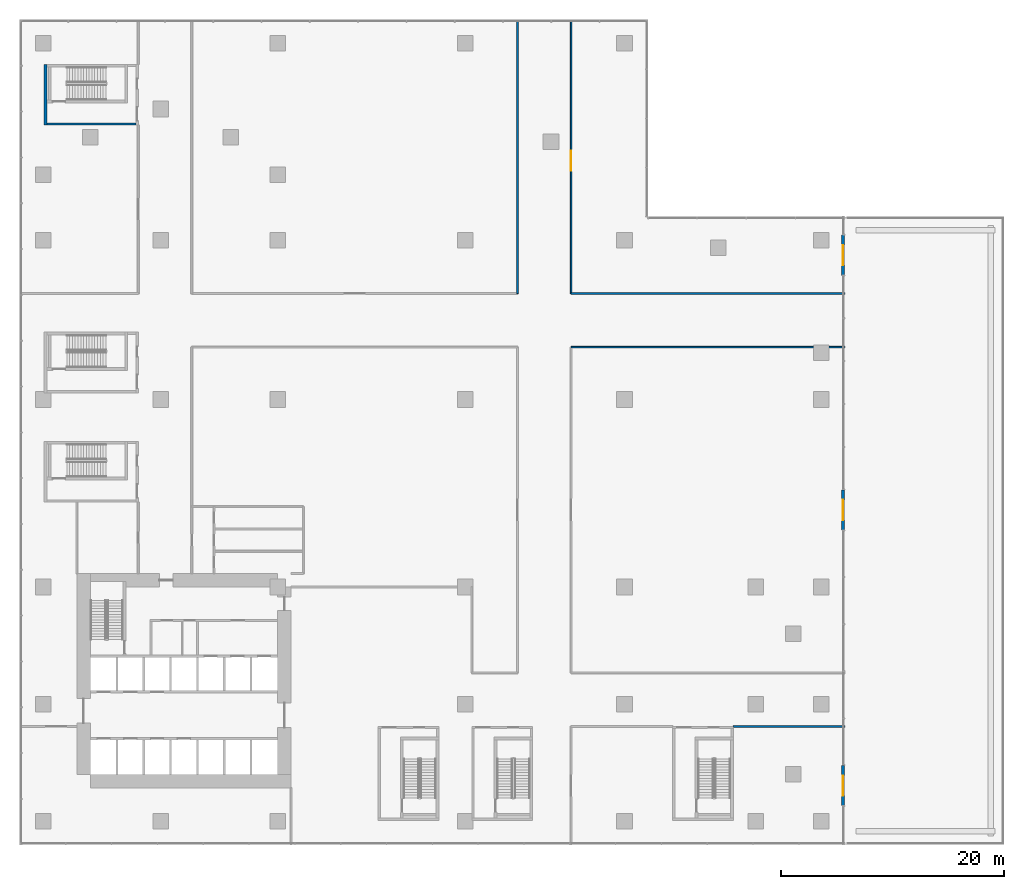
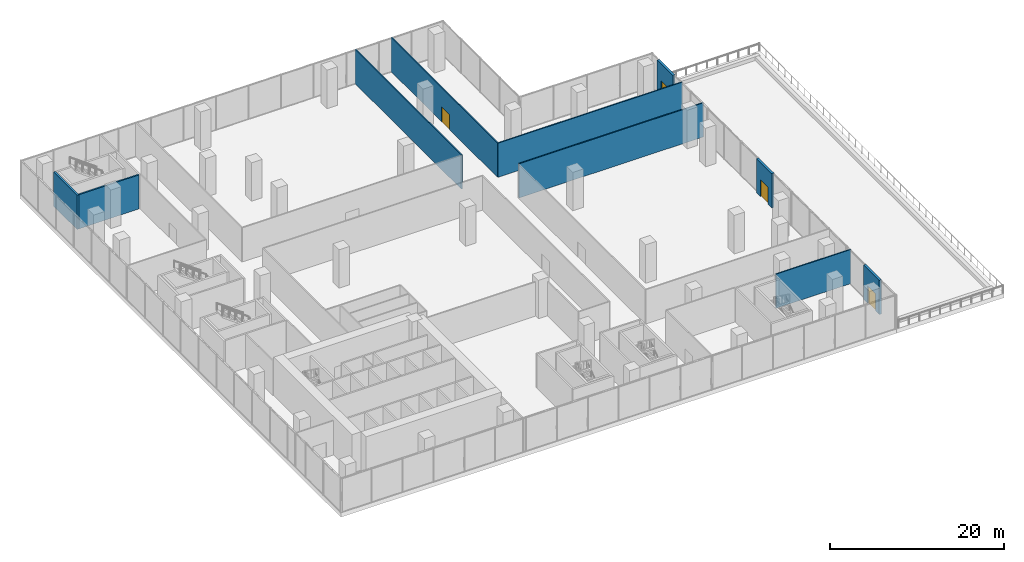
# One storey, part 16 of 23: 10 walls, 4 doors, 4 openings.
"""IFC4 building model written with IfcOpenShell, lengths in metres."""

import ifcopenshell
import ifcopenshell.guid

model = None  # the IFC model being written
_history = None  # IfcOwnerHistory: only IFC2X3 demands one
_inside = {}  # id of a spatial element -> (the spatial element, [elements in it])
_under = {}  # id of a project, library or spatial element -> (it, [spatial elements below it])
_declared = {}  # id of a project -> (the project, [libraries it declares])
_typed = {}  # id of a type object -> (the type object, [elements of that type])
_made_of = {}  # id of a material, layer set ... -> (it, [elements and type objects made of it])


def new_model(schema):
    """Start an empty IFC model of exactly this schema.

    Asked for "IFC4X3", IfcOpenShell would pick the latest addendum, in which some entities
    have other attributes; the version numbers below select the first issue.
    IFC2X3 requires an IfcOwnerHistory on every rooted entity: one is made here for all.
    """
    global model, _history
    if schema == "IFC4X3":
        model = ifcopenshell.file(schema_version=(4, 3, 0, 0))
    else:
        model = ifcopenshell.file(schema=schema)
    _inside.clear()
    _under.clear()
    _declared.clear()
    _typed.clear()
    _made_of.clear()
    _history = None
    if model.schema == "IFC2X3":
        org = make("IfcOrganization", Name="unknown")
        user = make(
            "IfcPersonAndOrganization",
            ThePerson=make("IfcPerson", FamilyName="unknown"),
            TheOrganization=org,
        )
        app = make(
            "IfcApplication",
            ApplicationDeveloper=org,
            Version="unknown",
            ApplicationFullName="unknown",
            ApplicationIdentifier="unknown",
        )
        _history = make(
            "IfcOwnerHistory",
            OwningUser=user,
            OwningApplication=app,
            ChangeAction="ADDED",
            CreationDate=0,
        )
    return model


def make(cls, **values):
    """One entity of the class cls with the attributes given. An attribute that is None is left unset."""
    return model.create_entity(
        cls, **{name: value for name, value in values.items() if value is not None}
    )


def rooted(cls, **values):
    """An entity with a GlobalId (a new one), such as an element, a storey or a relation."""
    return make(cls, GlobalId=ifcopenshell.guid.new(), OwnerHistory=_history, **values)


def si_unit(unit_type, name, prefix=None):
    """IfcSIUnit, for example si_unit("LENGTHUNIT", "METRE", prefix="MILLI")."""
    return make("IfcSIUnit", UnitType=unit_type, Prefix=prefix, Name=name)


def assignment(units):
    """IfcUnitAssignment: the units of a project."""
    return None if units is None else make("IfcUnitAssignment", Units=units)


def point(xyz):
    """IfcCartesianPoint."""
    return None if xyz is None else make("IfcCartesianPoint", Coordinates=xyz)


def direction(xyz):
    """IfcDirection."""
    return None if xyz is None else make("IfcDirection", DirectionRatios=xyz)


def frame(location, z_axis=None, x_axis=None):
    """IfcAxis2Placement3D, a coordinate frame: its origin and axes. An axis left out is left unset."""
    return make(
        "IfcAxis2Placement3D",
        Location=point(location),
        Axis=direction(z_axis),
        RefDirection=direction(x_axis),
    )


def frame_2d(location, x_axis=None):
    """IfcAxis2Placement2D, a coordinate frame in the plane: its origin and x axis."""
    return make(
        "IfcAxis2Placement2D", Location=point(location), RefDirection=direction(x_axis)
    )


def origin():
    """The frame at (0, 0, 0) with its axes left unset."""
    return frame((0.0, 0.0, 0.0))


def place(relative_to, where):
    """IfcLocalPlacement: puts the frame where relative to a parent placement (None: the world)."""
    return make(
        "IfcLocalPlacement", PlacementRelTo=relative_to, RelativePlacement=where
    )


def context(
    kind, dimensions, precision=None, world=None, true_north=None, identifier=None
):
    """IfcGeometricRepresentationContext, for example the 3D "Model" context."""
    return make(
        "IfcGeometricRepresentationContext",
        ContextIdentifier=identifier,
        ContextType=kind,
        CoordinateSpaceDimension=dimensions,
        Precision=precision,
        WorldCoordinateSystem=world,
        TrueNorth=true_north,
    )


def subcontext(parent, identifier, kind, view, scale=None):
    """IfcGeometricRepresentationSubContext, for example "Body" below "Model"."""
    return make(
        "IfcGeometricRepresentationSubContext",
        ContextIdentifier=identifier,
        ContextType=kind,
        ParentContext=parent,
        TargetScale=scale,
        TargetView=view,
    )


def project(units=None, contexts=None):
    """IfcProject with its units and contexts."""
    return rooted(
        "IfcProject",
        Name="project",
        RepresentationContexts=contexts,
        UnitsInContext=assignment(units),
    )


def spatial(cls, under=None, at=None, **own):
    """A site, building, storey or space (cls), placed at a placement, below another one or the project."""
    s = rooted(cls, ObjectPlacement=at, **own)
    if under is not None:
        _under.setdefault(under.id(), (under, []))[1].append(s)
    return s


def profile(cls, at=None, kind="AREA", **sizes):
    """A parametric profile (cls). Its sizes go by their IFC names, for example OverallWidth=200.0."""
    return make(cls, ProfileType=kind, Position=at, **sizes)


def rectangle(**sizes):
    """IfcRectangleProfileDef."""
    return profile("IfcRectangleProfileDef", **sizes)


def extrude(swept, where, along, depth):
    """IfcExtrudedAreaSolid: the profile swept, set in the frame where, extruded along a direction by depth."""
    return make(
        "IfcExtrudedAreaSolid",
        SweptArea=swept,
        Position=where,
        ExtrudedDirection=direction(along),
        Depth=depth,
    )


def shape(context_of_items, identifier, shape_type, items):
    """IfcShapeRepresentation: the items that make up one representation, for example the "Body"."""
    return make(
        "IfcShapeRepresentation",
        ContextOfItems=context_of_items,
        RepresentationIdentifier=identifier,
        RepresentationType=shape_type,
        Items=items,
    )


def source(mapping_origin, context_of_items, identifier, shape_type, items):
    """IfcRepresentationMap: a shape defined once, which mapped items show again and again."""
    return make(
        "IfcRepresentationMap",
        MappingOrigin=mapping_origin,
        MappedRepresentation=shape(context_of_items, identifier, shape_type, items),
    )


def transform(
    local_origin,
    x_axis=None,
    y_axis=None,
    z_axis=None,
    scale=None,
    scale2=None,
    scale3=None,
    uniform=True,
):
    """IfcCartesianTransformationOperator3D, or its non-uniform kind. x_axis, y_axis, z_axis: its Axis1, 2, 3."""
    if uniform:
        return make(
            "IfcCartesianTransformationOperator3D",
            Axis1=direction(x_axis),
            Axis2=direction(y_axis),
            LocalOrigin=point(local_origin),
            Scale=scale,
            Axis3=direction(z_axis),
        )
    return make(
        "IfcCartesianTransformationOperator3DnonUniform",
        Axis1=direction(x_axis),
        Axis2=direction(y_axis),
        LocalOrigin=point(local_origin),
        Scale=scale,
        Axis3=direction(z_axis),
        Scale2=scale2,
        Scale3=scale3,
    )


def mapped(mapping_source, mapping_target):
    """IfcMappedItem: shows the shape of a source again, moved by a transform."""
    return make(
        "IfcMappedItem", MappingSource=mapping_source, MappingTarget=mapping_target
    )


def material(Name=None, Category=None):
    """IfcMaterial."""
    return make("IfcMaterial", Name=Name, Category=Category)


def layer(
    of_material, thickness, ventilated=None, Name=None, Category=None, Priority=None
):
    """IfcMaterialLayer: one layer of a wall or slab, of a material (None: an air gap)."""
    return make(
        "IfcMaterialLayer",
        Material=of_material,
        LayerThickness=thickness,
        IsVentilated=ventilated,
        Name=Name,
        Category=Category,
        Priority=Priority,
    )


def layer_set(layers, Name=None):
    """IfcMaterialLayerSet."""
    return make("IfcMaterialLayerSet", MaterialLayers=layers, LayerSetName=Name)


def made_of(thing, what):
    """Note that an element or type object is made of a material, layer set ...; save() writes the relation."""
    if what is not None:
        _made_of.setdefault(what.id(), (what, []))[1].append(thing)
    return thing


def type_object(cls, material=None, **own):
    """A type object (cls), such as IfcWallType, which elements share."""
    return made_of(rooted(cls, **own), material)


def element(
    cls,
    number,
    at=None,
    inside=None,
    cuts=None,
    type_object=None,
    material=None,
    context=None,
    identifier="Body",
    shape_type=None,
    held_by="IfcProductDefinitionShape",
    body=None,
    shapes=None,
    **own,
):
    """One element of the class cls, such as IfcWall. Its Tag is "e" and its number.

    at: its placement. inside: the storey or other place that contains it. cuts: it is an
    opening in that element (IfcRelVoidsElement). A single representation is given by context,
    identifier, shape_type and body (its items); several are given by shapes. held_by: the class
    of the entity that holds the representations. save() writes the other relations.
    """
    e = rooted(cls, Tag="e%d" % number, ObjectPlacement=at, **own)
    if body is not None:
        shapes = [shape(context, identifier, shape_type, body)]
    if shapes is not None:
        e.Representation = make(held_by, Representations=shapes)
    if inside is not None:
        _inside.setdefault(inside.id(), (inside, []))[1].append(e)
    if cuts is not None:
        rooted(
            "IfcRelVoidsElement", RelatingBuildingElement=cuts, RelatedOpeningElement=e
        )
    if type_object is not None:
        _typed.setdefault(type_object.id(), (type_object, []))[1].append(e)
    return made_of(e, material)


def fill(opening, filler):
    """IfcRelFillsElement: the door or window that sits in an opening."""
    return rooted(
        "IfcRelFillsElement",
        RelatingOpeningElement=opening,
        RelatedBuildingElement=filler,
    )


def aggregate(whole, parts):
    """IfcRelAggregates: a whole, such as a stair, and the parts it consists of."""
    return rooted("IfcRelAggregates", RelatingObject=whole, RelatedObjects=parts)


def save(model, path):
    """Write the relations noted so far, then the file.

    IfcRelAggregates (storeys below a building ...), IfcRelContainedInSpatialStructure (elements
    in a storey), IfcRelDefinesByType, IfcRelAssociatesMaterial and IfcRelDeclares: one each for
    every whole, place, type object, material and project.
    """
    for whole, parts in _under.values():
        aggregate(whole, parts)
    for where, things in _inside.values():
        rooted(
            "IfcRelContainedInSpatialStructure",
            RelatedElements=things,
            RelatingStructure=where,
        )
    for kind, things in _typed.values():
        rooted("IfcRelDefinesByType", RelatedObjects=things, RelatingType=kind)
    for what, things in _made_of.values():
        rooted("IfcRelAssociatesMaterial", RelatedObjects=things, RelatingMaterial=what)
    for by, libraries in _declared.values():
        rooted("IfcRelDeclares", RelatingContext=by, RelatedDefinitions=libraries)
    model.write(path)


model = new_model("IFC4")

# Units and contexts
model_context = context("Model", 3, precision=1e-05, world=origin(), true_north=direction((0.0, 1.0)))
body_context = subcontext(model_context, "Body", "Model", "MODEL_VIEW")
ifc_project = project(units=[si_unit("LENGTHUNIT", "METRE"), si_unit("AREAUNIT", "SQUARE_METRE"), si_unit("VOLUMEUNIT", "CUBIC_METRE"), si_unit("PLANEANGLEUNIT", "RADIAN"), si_unit("MASSUNIT", "GRAM", prefix="KILO")], contexts=[model_context])

# Site, building, storey
site_placement = place(None, origin())
site = spatial("IfcSite", under=ifc_project, at=site_placement, CompositionType="ELEMENT")
building_placement = place(site_placement, origin())
building = spatial("IfcBuilding", under=site, at=building_placement, Name="Aurelian Terraces", CompositionType="ELEMENT")
storey_placement = place(building_placement, frame((0.0, 0.0, 18.3)))
storey = spatial("IfcBuildingStorey", under=building, at=storey_placement, Name="L03", CompositionType="ELEMENT", Elevation=18.3)

# Wall
ifc_material_1 = material(Name="Gypsum board on steel studs", Category="steel")
ifc_layer_1 = layer(ifc_material_1, 0.15)
ifc_layer_set_1 = layer_set([ifc_layer_1], Name="Special partition 150")
wall_type_1 = type_object("IfcWallType", Name="Special partition 150", PredefinedType="PARTITIONING", material=ifc_layer_set_1)
wall_1_placement = place(storey_placement, frame((61.85, 8.5, 0.0), z_axis=(0.0, 0.0, 1.0), x_axis=(1.0, 0.0, 0.0)))
element("IfcWall", 1, at=wall_1_placement, inside=storey, type_object=wall_type_1, Name="L03 partition W03", PredefinedType="PARTITIONING", context=body_context, shape_type="SweptSolid", body=[
    extrude(rectangle(XDim=9.97, YDim=0.15, at=frame_2d((4.985, 0.0))), origin(), (0.0, 0.0, 1.0), 4.8),
])

# Wall, opening, door
ifc_material_2 = material(Name="Terracotta rainscreen cladding", Category="masonry")
ifc_layer_2 = layer(ifc_material_2, 0.3)
ifc_layer_set_2 = layer_set([ifc_layer_2], Name="EW-300")
wall_type_2 = type_object("IfcWallType", Name="EW-300", PredefinedType="STANDARD", material=ifc_layer_set_2)
shared_shape_1 = source(origin(), body_context, "Body", "SweptSolid", [
    extrude(rectangle(XDim=3.6, YDim=0.3, at=frame_2d((1.8, 0.0))), origin(), (0.0, 0.0, 1.0), 4.8),
])
wall_2_placement = place(storey_placement, frame((71.67, 1.4, 0.0), z_axis=(0.0, 0.0, 1.0), x_axis=(0.0, 1.0, 0.0)))
wall_2 = element("IfcWall", 2, at=wall_2_placement, inside=storey, type_object=wall_type_2, Name="Terrace wall L03 F02", PredefinedType="STANDARD", context=body_context, shape_type="MappedRepresentation", body=[
    mapped(shared_shape_1, transform((0.0, 0.0, 0.0), scale=1.0)),
])
shared_shape_2 = source(origin(), body_context, "Body", "SweptSolid", [
    extrude(rectangle(XDim=1.8, YDim=2.4, at=frame_2d((0.9, 1.2))), frame((0.0, 0.16, 0.0), z_axis=(0.0, -1.0, 0.0), x_axis=(1.0, 0.0, 0.0)), (0.0, 0.0, 1.0), 0.32),
])
opening_1_placement = place(wall_2_placement, frame((0.9, 0.0, 0.0)))
opening_1 = element("IfcOpeningElement", 3, at=opening_1_placement, cuts=wall_2, Name="Opening 80301", PredefinedType="OPENING", context=body_context, shape_type="MappedRepresentation", body=[
    mapped(shared_shape_2, transform((0.0, 0.0, 0.0), scale=1.0)),
])
ifc_material_3 = material(Name="Clear glazing", Category="glass")
door_type_1 = type_object("IfcDoorType", Name="BD-1800x2400", OperationType="SLIDING_TO_LEFT", PredefinedType="DOOR", material=ifc_material_3)
shared_shape_3 = source(origin(), body_context, "Body", "SweptSolid", [
    extrude(rectangle(XDim=1.8, YDim=2.4, at=frame_2d((0.9, 1.2))), frame((0.0, 0.025, 0.0), z_axis=(0.0, -1.0, 0.0), x_axis=(1.0, 0.0, 0.0)), (0.0, 0.0, 1.0), 0.05),
])
door_1_placement = place(opening_1_placement, origin())
door_1 = element("IfcDoor", 4, at=door_1_placement, inside=storey, type_object=door_type_1, Name="Terrace door L03 F02", OperationType="SLIDING_TO_LEFT", OverallHeight=2.4, OverallWidth=1.8, PredefinedType="DOOR", context=body_context, shape_type="MappedRepresentation", body=[
    mapped(shared_shape_3, transform((0.0, 0.0, 0.0), scale=1.0)),
])
fill(opening_1, door_1)

wall_3_placement = place(storey_placement, frame((71.67, 26.1, 0.0), z_axis=(0.0, 0.0, 1.0), x_axis=(0.0, 1.0, 0.0)))
wall_3 = element("IfcWall", 5, at=wall_3_placement, inside=storey, type_object=wall_type_2, Name="Terrace wall L03 F02", PredefinedType="STANDARD", context=body_context, shape_type="MappedRepresentation", body=[
    mapped(shared_shape_1, transform((0.0, 0.0, 0.0), scale=1.0)),
])
opening_2_placement = place(wall_3_placement, frame((0.9, 0.0, 0.0)))
opening_2 = element("IfcOpeningElement", 6, at=opening_2_placement, cuts=wall_3, Name="Opening 80302", PredefinedType="OPENING", context=body_context, shape_type="MappedRepresentation", body=[
    mapped(shared_shape_2, transform((0.0, 0.0, 0.0), scale=1.0)),
])
door_2_placement = place(opening_2_placement, origin())
door_2 = element("IfcDoor", 7, at=door_2_placement, inside=storey, type_object=door_type_1, Name="Terrace door L03 F02", OperationType="SLIDING_TO_LEFT", OverallHeight=2.4, OverallWidth=1.8, PredefinedType="DOOR", context=body_context, shape_type="MappedRepresentation", body=[
    mapped(shared_shape_3, transform((0.0, 0.0, 0.0), scale=1.0)),
])
fill(opening_2, door_2)

wall_4_placement = place(storey_placement, frame((71.67, 48.94, 0.0), z_axis=(0.0, 0.0, 1.0), x_axis=(0.0, 1.0, 0.0)))
wall_4 = element("IfcWall", 8, at=wall_4_placement, inside=storey, type_object=wall_type_2, Name="Terrace wall L03 F02", PredefinedType="STANDARD", context=body_context, shape_type="MappedRepresentation", body=[
    mapped(shared_shape_1, transform((0.0, 0.0, 0.0), scale=1.0)),
])
opening_3_placement = place(wall_4_placement, frame((0.9, 0.0, 0.0)))
opening_3 = element("IfcOpeningElement", 9, at=opening_3_placement, cuts=wall_4, Name="Opening 80303", PredefinedType="OPENING", context=body_context, shape_type="MappedRepresentation", body=[
    mapped(shared_shape_2, transform((0.0, 0.0, 0.0), scale=1.0)),
])
door_3_placement = place(opening_3_placement, origin())
door_3 = element("IfcDoor", 10, at=door_3_placement, inside=storey, type_object=door_type_1, Name="Terrace door L03 F02", OperationType="SLIDING_TO_LEFT", OverallHeight=2.4, OverallWidth=1.8, PredefinedType="DOOR", context=body_context, shape_type="MappedRepresentation", body=[
    mapped(shared_shape_3, transform((0.0, 0.0, 0.0), scale=1.0)),
])
fill(opening_3, door_3)

# Walls
ifc_layer_3 = layer(ifc_material_1, 0.2)
ifc_layer_set_3 = layer_set([ifc_layer_3], Name="Core partition 200")
wall_type_3 = type_object("IfcWallType", Name="Core partition 200", PredefinedType="PARTITIONING", material=ifc_layer_set_3)
shared_shape_4 = source(origin(), body_context, "Body", "SweptSolid", [
    extrude(rectangle(XDim=8.0, YDim=0.2, at=frame_2d((4.0, 0.0))), origin(), (0.0, 0.0, 1.0), 4.8),
])
wall_5_placement = place(storey_placement, frame((0.3, 62.5, 0.0), z_axis=(0.0, 0.0, 1.0), x_axis=(1.0, 0.0, 0.0)))
element("IfcWall", 11, at=wall_5_placement, inside=storey, type_object=wall_type_3, Name="L03 core wall ST-S5-VW", PredefinedType="PARTITIONING", context=body_context, shape_type="MappedRepresentation", body=[
    mapped(shared_shape_4, transform((0.0, 0.0, 0.0), scale=1.0)),
])
ifc_material_4 = material(Name="Concrete fc' 40 MPa", Category="concrete")
ifc_layer_4 = layer(ifc_material_4, 0.25)
ifc_layer_set_4 = layer_set([ifc_layer_4], Name="Stair enclosure wall 250")
wall_type_4 = type_object("IfcWallType", Name="Stair enclosure wall 250", PredefinedType="SOLIDWALL", material=ifc_layer_set_4)
shared_shape_5 = source(origin(), body_context, "Body", "SweptSolid", [
    extrude(rectangle(XDim=5.45, YDim=0.25, at=frame_2d((2.725, 0.0))), origin(), (0.0, 0.0, 1.0), 4.8),
])
wall_6_placement = place(storey_placement, frame((0.175, 62.4, 0.0), z_axis=(0.0, 0.0, 1.0), x_axis=(0.0, 1.0, 0.0)))
element("IfcWall", 12, at=wall_6_placement, inside=storey, type_object=wall_type_4, Name="L03 core wall ST-S5-S", PredefinedType="SOLIDWALL", context=body_context, shape_type="MappedRepresentation", body=[
    mapped(shared_shape_5, transform((0.0, 0.0, 0.0), scale=1.0)),
])
shared_shape_6 = source(origin(), body_context, "Body", "SweptSolid", [
    extrude(rectangle(XDim=24.52, YDim=0.15, at=frame_2d((12.26, 0.0))), origin(), (0.0, 0.0, 1.0), 4.8),
])
for number, where, z_axis, x_axis, name in (
    (13, (47.3, 42.5, 0.0), (0.0, 0.0, 1.0), (1.0, 0.0, 0.0), "L03 partition W12"),
    (14, (47.3, 47.3, 0.0), (0.0, 0.0, 1.0), (1.0, 0.0, 0.0), "L03 partition W15"),
    (15, (42.5, 47.3, 0.0), (0.0, 0.0, 1.0), (0.0, 1.0, 0.0), "L03 partition W27"),
):
    element("IfcWall", number, at=place(storey_placement, frame(where, z_axis=z_axis, x_axis=x_axis)), inside=storey, type_object=wall_type_1, Name=name, PredefinedType="PARTITIONING", context=body_context, shape_type="MappedRepresentation", body=[
        mapped(shared_shape_6, transform((0.0, 0.0, 0.0), scale=1.0)),
    ])

# Wall, opening, door
wall_7_placement = place(storey_placement, frame((47.3, 47.3, 0.0), z_axis=(0.0, 0.0, 1.0), x_axis=(0.0, 1.0, 0.0)))
wall_7 = element("IfcWall", 16, at=wall_7_placement, inside=storey, type_object=wall_type_1, Name="L03 partition W30", PredefinedType="PARTITIONING", context=body_context, shape_type="MappedRepresentation", body=[
    mapped(shared_shape_6, transform((0.0, 0.0, 0.0), scale=1.0)),
])
shared_shape_7 = source(origin(), body_context, "Body", "SweptSolid", [
    extrude(rectangle(XDim=1.8, YDim=2.1, at=frame_2d((0.9, 1.05))), frame((0.0, 0.085, 0.0), z_axis=(0.0, -1.0, 0.0), x_axis=(1.0, 0.0, 0.0)), (0.0, 0.0, 1.0), 0.17),
])
opening_4_placement = place(wall_7_placement, frame((11.02, 0.0, 0.0)))
opening_4 = element("IfcOpeningElement", 17, at=opening_4_placement, cuts=wall_7, Name="Opening 70612", PredefinedType="OPENING", context=body_context, shape_type="MappedRepresentation", body=[
    mapped(shared_shape_7, transform((0.0, 0.0, 0.0), scale=1.0)),
])
ifc_material_5 = material(Name="Timber door leaf", Category="wood")
door_type_2 = type_object("IfcDoorType", Name="Special double door 1800x2100", OperationType="DOUBLE_DOOR_SINGLE_SWING", PredefinedType="DOOR", material=ifc_material_5)
shared_shape_8 = source(origin(), body_context, "Body", "SweptSolid", [
    extrude(rectangle(XDim=1.8, YDim=2.1, at=frame_2d((0.9, 1.05))), frame((0.0, 0.025, 0.0), z_axis=(0.0, -1.0, 0.0), x_axis=(1.0, 0.0, 0.0)), (0.0, 0.0, 1.0), 0.05),
])
door_4_placement = place(opening_4_placement, origin())
door_4 = element("IfcDoor", 18, at=door_4_placement, inside=storey, type_object=door_type_2, Name="Door 70612", OperationType="DOUBLE_DOOR_SINGLE_SWING", OverallHeight=2.1, OverallWidth=1.8, PredefinedType="DOOR", context=body_context, shape_type="MappedRepresentation", body=[
    mapped(shared_shape_8, transform((0.0, 0.0, 0.0), scale=1.0)),
])
fill(opening_4, door_4)

save(model, "model.ifc")
